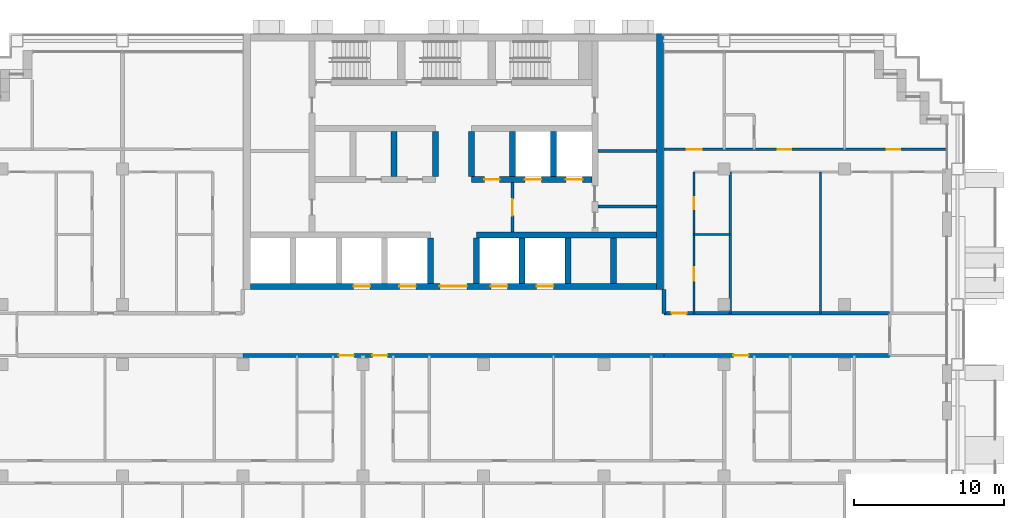
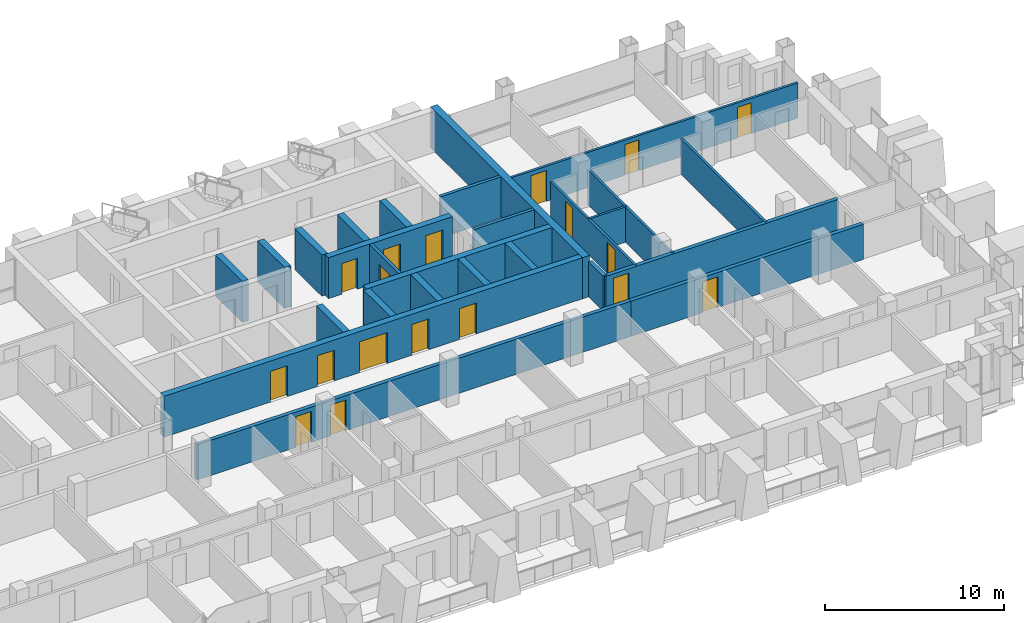
# One storey, part 10 of 17: 26 walls, 18 doors, 18 openings.
"""IFC4 building model written with IfcOpenShell, lengths in metres."""

from ifc_helpers import new_model, si_unit, direction, frame, frame_2d, origin, place, context, subcontext, project, spatial, rectangle, extrude, material, layer, layer_set, type_object, element, fill, save


model = new_model("IFC4")

# Units and contexts
model_context = context("Model", 3, precision=1e-05, world=origin(), true_north=direction((0.0, 1.0)))
body_context = subcontext(model_context, "Body", "Model", "MODEL_VIEW")
ifc_project = project(units=[si_unit("LENGTHUNIT", "METRE"), si_unit("AREAUNIT", "SQUARE_METRE"), si_unit("VOLUMEUNIT", "CUBIC_METRE"), si_unit("PLANEANGLEUNIT", "RADIAN"), si_unit("MASSUNIT", "GRAM", prefix="KILO")], contexts=[model_context])

# Site, building, storey
site_placement = place(None, origin())
site = spatial("IfcSite", under=ifc_project, at=site_placement, CompositionType="ELEMENT")
building_placement = place(site_placement, origin())
building = spatial("IfcBuilding", under=site, at=building_placement, Name="Vidyagriha Tower", CompositionType="ELEMENT")
storey_placement = place(building_placement, frame((0.0, 0.0, 148.60009765625)))
storey = spatial("IfcBuildingStorey", under=building, at=storey_placement, Name="L39", CompositionType="ELEMENT", Elevation=148.60009765625)

# Wall, openings, doors
ifc_material_1 = material(Name="Concrete C60/75", Category="concrete")
ifc_layer_1 = layer(ifc_material_1, 0.39990234375)
ifc_layer_set_1 = layer_set([ifc_layer_1], Name="Concrete C60/75")
wall_type_1 = type_object("IfcWallType", Name="Core shear wall 400 mm", PredefinedType="SHEAR", material=ifc_layer_set_1)
wall_1_placement = place(storey_placement, frame((-13.5, 3.199951171875, 0.0)))
wall_1 = element("IfcWall", 1, at=wall_1_placement, inside=storey, type_object=wall_type_1, Name="Core front wall", PredefinedType="SHEAR", context=body_context, shape_type="SweptSolid", body=[
    extrude(rectangle(XDim=27.0, YDim=0.39990234375, at=frame_2d((13.5, 0.0))), origin(), (0.0, 0.0, 1.0), 2.7998046875),
])
opening_1_placement = place(wall_1_placement, frame((6.861083984375, 0.0, 0.0)))
opening_1 = element("IfcOpeningElement", 2, at=opening_1_placement, cuts=wall_1, Name="Opening LD39-01", PredefinedType="OPENING", context=body_context, shape_type="SweptSolid", body=[
    extrude(rectangle(XDim=1.10009765625, YDim=2.10009765625, at=frame_2d((0.550048828125, 1.050048828125))), frame((0.0, 0.2099609375, 0.0), z_axis=(0.0, -1.0, 0.0), x_axis=(1.0, 0.0, 0.0)), (0.0, 0.0, 1.0), 0.419921875),
])
opening_2_placement = place(wall_1_placement, frame((9.905517578125, 0.0, 0.0)))
opening_2 = element("IfcOpeningElement", 3, at=opening_2_placement, cuts=wall_1, Name="Opening LD39-02", PredefinedType="OPENING", context=body_context, shape_type="SweptSolid", body=[
    extrude(rectangle(XDim=1.10009765625, YDim=2.10009765625, at=frame_2d((0.550048828125, 1.050048828125))), frame((0.0, 0.2099609375, 0.0), z_axis=(0.0, -1.0, 0.0), x_axis=(1.0, 0.0, 0.0)), (0.0, 0.0, 1.0), 0.419921875),
])
opening_3_placement = place(wall_1_placement, frame((15.994384765625, 0.0, 0.0)))
opening_3 = element("IfcOpeningElement", 4, at=opening_3_placement, cuts=wall_1, Name="Opening LD39-03", PredefinedType="OPENING", context=body_context, shape_type="SweptSolid", body=[
    extrude(rectangle(XDim=1.10009765625, YDim=2.10009765625, at=frame_2d((0.550048828125, 1.050048828125))), frame((0.0, 0.2099609375, 0.0), z_axis=(0.0, -1.0, 0.0), x_axis=(1.0, 0.0, 0.0)), (0.0, 0.0, 1.0), 0.419921875),
])
opening_4_placement = place(wall_1_placement, frame((19.038818359375, 0.0, 0.0)))
opening_4 = element("IfcOpeningElement", 5, at=opening_4_placement, cuts=wall_1, Name="Opening LD39-04", PredefinedType="OPENING", context=body_context, shape_type="SweptSolid", body=[
    extrude(rectangle(XDim=1.10009765625, YDim=2.10009765625, at=frame_2d((0.550048828125, 1.050048828125))), frame((0.0, 0.2099609375, 0.0), z_axis=(0.0, -1.0, 0.0), x_axis=(1.0, 0.0, 0.0)), (0.0, 0.0, 1.0), 0.419921875),
])
opening_5_placement = place(wall_1_placement, frame((12.60009765625, 0.0, 0.0)))
opening_5 = element("IfcOpeningElement", 6, at=opening_5_placement, cuts=wall_1, Name="Opening D39-01", PredefinedType="OPENING", context=body_context, shape_type="SweptSolid", body=[
    extrude(rectangle(XDim=1.800048828125, YDim=2.10009765625, at=frame_2d((0.89990234375, 1.050048828125))), frame((0.0, 0.2099609375, 0.0), z_axis=(0.0, -1.0, 0.0), x_axis=(1.0, 0.0, 0.0)), (0.0, 0.0, 1.0), 0.419921875),
])
ifc_material_2 = material(Name="Hollow metal door leaf")
door_type_1 = type_object("IfcDoorType", Name="Core lobby double door 1800 x 2100 mm EI 60", OperationType="NOTDEFINED", PredefinedType="DOOR", material=ifc_material_2)
door_1_placement = place(opening_5_placement, frame((1.800048828125, 0.0, 0.0), z_axis=(0.0, 0.0, 1.0), x_axis=(-1.0, 0.0, 0.0)))
door_1 = element("IfcDoor", 7, at=door_1_placement, inside=storey, type_object=door_type_1, Name="Core entrance door L39", OperationType="DOUBLE_DOOR_SINGLE_SWING", OverallHeight=2.10009765625, OverallWidth=1.800048828125, PredefinedType="DOOR", context=body_context, shape_type="SweptSolid", body=[
    extrude(rectangle(XDim=1.800048828125, YDim=2.10009765625, at=frame_2d((0.89990234375, 1.050048828125))), frame((0.0, 0.02490234375, 0.0), z_axis=(0.0, -1.0, 0.0), x_axis=(1.0, 0.0, 0.0)), (0.0, 0.0, 1.0), 0.050048828125),
])
fill(opening_5, door_1)
ifc_material_3 = material(Name="Stainless steel sliding door panel", Category="steel")
door_type_2 = type_object("IfcDoorType", Name="Lift landing door 1100 x 2100 mm EI 90", OperationType="NOTDEFINED", PredefinedType="DOOR", material=ifc_material_3)
door_2_placement = place(opening_1_placement, origin())
door_2 = element("IfcDoor", 8, at=door_2_placement, inside=storey, type_object=door_type_2, Name="Landing door LR1 L39", OperationType="SLIDING_TO_LEFT", OverallHeight=2.10009765625, OverallWidth=1.10009765625, PredefinedType="DOOR", context=body_context, shape_type="SweptSolid", body=[
    extrude(rectangle(XDim=1.10009765625, YDim=2.10009765625, at=frame_2d((0.550048828125, 1.050048828125))), frame((0.0, 0.02490234375, 0.0), z_axis=(0.0, -1.0, 0.0), x_axis=(1.0, 0.0, 0.0)), (0.0, 0.0, 1.0), 0.050048828125),
])
fill(opening_1, door_2)
door_3_placement = place(opening_2_placement, origin())
door_3 = element("IfcDoor", 9, at=door_3_placement, inside=storey, type_object=door_type_2, Name="Landing door LR2 L39", OperationType="SLIDING_TO_LEFT", OverallHeight=2.10009765625, OverallWidth=1.10009765625, PredefinedType="DOOR", context=body_context, shape_type="SweptSolid", body=[
    extrude(rectangle(XDim=1.10009765625, YDim=2.10009765625, at=frame_2d((0.550048828125, 1.050048828125))), frame((0.0, 0.02490234375, 0.0), z_axis=(0.0, -1.0, 0.0), x_axis=(1.0, 0.0, 0.0)), (0.0, 0.0, 1.0), 0.050048828125),
])
fill(opening_2, door_3)
door_4_placement = place(opening_3_placement, origin())
door_4 = element("IfcDoor", 10, at=door_4_placement, inside=storey, type_object=door_type_2, Name="Landing door LR3 L39", OperationType="SLIDING_TO_LEFT", OverallHeight=2.10009765625, OverallWidth=1.10009765625, PredefinedType="DOOR", context=body_context, shape_type="SweptSolid", body=[
    extrude(rectangle(XDim=1.10009765625, YDim=2.10009765625, at=frame_2d((0.550048828125, 1.050048828125))), frame((0.0, 0.02490234375, 0.0), z_axis=(0.0, -1.0, 0.0), x_axis=(1.0, 0.0, 0.0)), (0.0, 0.0, 1.0), 0.050048828125),
])
fill(opening_3, door_4)
door_5_placement = place(opening_4_placement, origin())
door_5 = element("IfcDoor", 11, at=door_5_placement, inside=storey, type_object=door_type_2, Name="Landing door LR4 L39", OperationType="SLIDING_TO_LEFT", OverallHeight=2.10009765625, OverallWidth=1.10009765625, PredefinedType="DOOR", context=body_context, shape_type="SweptSolid", body=[
    extrude(rectangle(XDim=1.10009765625, YDim=2.10009765625, at=frame_2d((0.550048828125, 1.050048828125))), frame((0.0, 0.02490234375, 0.0), z_axis=(0.0, -1.0, 0.0), x_axis=(1.0, 0.0, 0.0)), (0.0, 0.0, 1.0), 0.050048828125),
])
fill(opening_4, door_5)

# Walls
wall_2_placement = place(storey_placement, frame((1.522216796875, 6.60009765625, 0.0)))
element("IfcWall", 12, at=wall_2_placement, inside=storey, type_object=wall_type_1, Name="Core lobby south wall east", PredefinedType="SHEAR", context=body_context, shape_type="SweptSolid", body=[
    extrude(rectangle(XDim=11.977783203125, YDim=0.39990234375, at=frame_2d((5.98876953125, 0.0))), origin(), (0.0, 0.0, 1.0), 2.7998046875),
])
for number, where, z_axis, x_axis, name in (
    (13, (-1.522216796875, 3.39990234375, 0.0), (0.0, 0.0, 1.0), (0.0, 1.0, 0.0), "Core bay wall S4"),
    (14, (1.522216796875, 3.39990234375, 0.0), (0.0, 0.0, 1.0), (0.0, 1.0, 0.0), "Core bay wall S5"),
    (15, (4.566650390625, 3.39990234375, 0.0), (0.0, 0.0, 1.0), (0.0, 1.0, 0.0), "Core bay wall S6"),
    (16, (7.611083984375, 3.39990234375, 0.0), (0.0, 0.0, 1.0), (0.0, 1.0, 0.0), "Core bay wall S7"),
    (17, (10.655517578125, 3.39990234375, 0.0), (0.0, 0.0, 1.0), (0.0, 1.0, 0.0), "Core bay wall S8"),
):
    element("IfcWall", number, at=place(storey_placement, frame(where, z_axis=z_axis, x_axis=x_axis)), inside=storey, type_object=wall_type_1, Name=name, PredefinedType="SHEAR", context=body_context, shape_type="SweptSolid", body=[
        extrude(rectangle(XDim=3.0, YDim=0.39990234375, at=frame_2d((1.5, 0.0))), origin(), (0.0, 0.0, 1.0), 2.7998046875),
    ])

# Wall, openings, doors
wall_3_placement = place(storey_placement, frame((1.199951171875, 10.300048828125, 0.0)))
wall_3 = element("IfcWall", 18, at=wall_3_placement, inside=storey, type_object=wall_type_1, Name="Core row N front wall", PredefinedType="SHEAR", context=body_context, shape_type="SweptSolid", body=[
    extrude(rectangle(XDim=8.0, YDim=0.39990234375, at=frame_2d((4.0, 0.0))), origin(), (0.0, 0.0, 1.0), 2.7998046875),
])
opening_6_placement = place(wall_3_placement, frame((3.550048828125, 0.0, 0.0)))
opening_6 = element("IfcOpeningElement", 19, at=opening_6_placement, cuts=wall_3, Name="Opening LD39-05", PredefinedType="OPENING", context=body_context, shape_type="SweptSolid", body=[
    extrude(rectangle(XDim=1.10009765625, YDim=2.10009765625, at=frame_2d((0.550048828125, 1.050048828125))), frame((0.0, 0.2099609375, 0.0), z_axis=(0.0, -1.0, 0.0), x_axis=(1.0, 0.0, 0.0)), (0.0, 0.0, 1.0), 0.419921875),
])
opening_7_placement = place(wall_3_placement, frame((6.283203125, 0.0, 0.0)))
opening_7 = element("IfcOpeningElement", 20, at=opening_7_placement, cuts=wall_3, Name="Opening LD39-06", PredefinedType="OPENING", context=body_context, shape_type="SweptSolid", body=[
    extrude(rectangle(XDim=1.10009765625, YDim=2.10009765625, at=frame_2d((0.550048828125, 1.050048828125))), frame((0.0, 0.2099609375, 0.0), z_axis=(0.0, -1.0, 0.0), x_axis=(1.0, 0.0, 0.0)), (0.0, 0.0, 1.0), 0.419921875),
])
opening_8_placement = place(wall_3_placement, frame((0.86669921875, 0.0, 0.0)))
opening_8 = element("IfcOpeningElement", 21, at=opening_8_placement, cuts=wall_3, Name="Opening D39-04", PredefinedType="OPENING", context=body_context, shape_type="SweptSolid", body=[
    extrude(rectangle(XDim=1.0, YDim=2.10009765625, at=frame_2d((0.5, 1.050048828125))), frame((0.0, 0.2099609375, 0.0), z_axis=(0.0, -1.0, 0.0), x_axis=(1.0, 0.0, 0.0)), (0.0, 0.0, 1.0), 0.419921875),
])
ifc_material_4 = material(Name="Hollow metal door leaf")
door_type_3 = type_object("IfcDoorType", Name="Core room door 1000 x 2100 mm EI 60", OperationType="NOTDEFINED", PredefinedType="DOOR", material=ifc_material_4)
door_6_placement = place(opening_8_placement, frame((1.0, 0.0, 0.0), z_axis=(0.0, 0.0, 1.0), x_axis=(-1.0, 0.0, 0.0)))
door_6 = element("IfcDoor", 22, at=door_6_placement, inside=storey, type_object=door_type_3, Name="Door Switchgear Room 39.16", OperationType="SINGLE_SWING_LEFT", OverallHeight=2.10009765625, OverallWidth=1.0, PredefinedType="DOOR", context=body_context, shape_type="SweptSolid", body=[
    extrude(rectangle(XDim=1.0, YDim=2.10009765625, at=frame_2d((0.5, 1.050048828125))), frame((0.0, 0.02490234375, 0.0), z_axis=(0.0, -1.0, 0.0), x_axis=(1.0, 0.0, 0.0)), (0.0, 0.0, 1.0), 0.050048828125),
])
fill(opening_8, door_6)
door_7_placement = place(opening_6_placement, origin())
door_7 = element("IfcDoor", 23, at=door_7_placement, inside=storey, type_object=door_type_2, Name="Landing door FF1 L39", OperationType="SLIDING_TO_LEFT", OverallHeight=2.10009765625, OverallWidth=1.10009765625, PredefinedType="DOOR", context=body_context, shape_type="SweptSolid", body=[
    extrude(rectangle(XDim=1.10009765625, YDim=2.10009765625, at=frame_2d((0.550048828125, 1.050048828125))), frame((0.0, 0.02490234375, 0.0), z_axis=(0.0, -1.0, 0.0), x_axis=(1.0, 0.0, 0.0)), (0.0, 0.0, 1.0), 0.050048828125),
])
fill(opening_6, door_7)
door_8_placement = place(opening_7_placement, origin())
door_8 = element("IfcDoor", 24, at=door_8_placement, inside=storey, type_object=door_type_2, Name="Landing door FF2 L39", OperationType="SLIDING_TO_LEFT", OverallHeight=2.10009765625, OverallWidth=1.10009765625, PredefinedType="DOOR", context=body_context, shape_type="SweptSolid", body=[
    extrude(rectangle(XDim=1.10009765625, YDim=2.10009765625, at=frame_2d((0.550048828125, 1.050048828125))), frame((0.0, 0.02490234375, 0.0), z_axis=(0.0, -1.0, 0.0), x_axis=(1.0, 0.0, 0.0)), (0.0, 0.0, 1.0), 0.050048828125),
])
fill(opening_7, door_8)

# Walls
for number, where, z_axis, x_axis, name in (
    (25, (-3.933349609375, 10.5, 0.0), (0.0, 0.0, 1.0), (0.0, 1.0, 0.0), "Core bay wall N2"),
    (26, (-1.199951171875, 10.5, 0.0), (0.0, 0.0, 1.0), (0.0, 1.0, 0.0), "Core bay wall N3"),
    (27, (1.199951171875, 10.5, 0.0), (0.0, 0.0, 1.0), (0.0, 1.0, 0.0), "Core bay wall N4"),
    (28, (3.933349609375, 10.5, 0.0), (0.0, 0.0, 1.0), (0.0, 1.0, 0.0), "Core bay wall N5"),
    (29, (6.666748046875, 10.5, 0.0), (0.0, 0.0, 1.0), (0.0, 1.0, 0.0), "Core bay wall N6"),
):
    element("IfcWall", number, at=place(storey_placement, frame(where, z_axis=z_axis, x_axis=x_axis)), inside=storey, type_object=wall_type_1, Name=name, PredefinedType="SHEAR", context=body_context, shape_type="SweptSolid", body=[
        extrude(rectangle(XDim=3.0, YDim=0.39990234375, at=frame_2d((1.5, 0.0))), origin(), (0.0, 0.0, 1.0), 2.7998046875),
    ])
ifc_material_5 = material(Name="Concrete C60/75", Category="concrete")
ifc_layer_2 = layer(ifc_material_5, 0.449951171875)
ifc_layer_set_2 = layer_set([ifc_layer_2], Name="Concrete C60/75")
wall_type_2 = type_object("IfcWallType", Name="Core shear wall 450 mm", PredefinedType="SHEAR", material=ifc_layer_set_2)
wall_4_placement = place(storey_placement, frame((13.72509765625, 3.0, 0.0), z_axis=(0.0, 0.0, 1.0), x_axis=(0.0, 1.0, 0.0)))
element("IfcWall", 30, at=wall_4_placement, inside=storey, type_object=wall_type_2, Name="Core east wall", PredefinedType="SHEAR", context=body_context, shape_type="SweptSolid", body=[
    extrude(rectangle(XDim=17.0, YDim=0.449951171875, at=frame_2d((8.5, 0.0))), origin(), (0.0, 0.0, 1.0), 2.7998046875),
])

# Wall, opening, door
ifc_material_6 = material(Name="Fired clay brick masonry", Category="masonry")
ifc_layer_3 = layer(ifc_material_6, 0.25)
ifc_layer_set_3 = layer_set([ifc_layer_3], Name="Fired clay brick masonry")
wall_type_3 = type_object("IfcWallType", Name="Fired clay brick corridor wall 250", PredefinedType="PARTITIONING", material=ifc_layer_set_3)
wall_5_placement = place(storey_placement, frame((29.0, -1.39990234375, 0.0), z_axis=(0.0, 0.0, 1.0), x_axis=(-1.0, 0.0, 0.0)))
wall_5 = element("IfcWall", 31, at=wall_5_placement, inside=storey, type_object=wall_type_3, Name="Wall all-L39-w063", PredefinedType="PARTITIONING", context=body_context, shape_type="SweptSolid", body=[
    extrude(rectangle(XDim=15.0, YDim=0.25, at=frame_2d((7.5, 0.0))), origin(), (0.0, 0.0, 1.0), 2.39990234375),
])
opening_9_placement = place(wall_5_placement, frame((9.382080078125, 0.0, 0.0)))
opening_9 = element("IfcOpeningElement", 32, at=opening_9_placement, cuts=wall_5, Name="Opening D39-42", PredefinedType="OPENING", context=body_context, shape_type="SweptSolid", body=[
    extrude(rectangle(XDim=1.0, YDim=2.10009765625, at=frame_2d((0.5, 1.050048828125))), frame((0.0, 0.135009765625, 0.0), z_axis=(0.0, -1.0, 0.0), x_axis=(1.0, 0.0, 0.0)), (0.0, 0.0, 1.0), 0.27001953125),
])
ifc_material_7 = material(Name="Fire-rated timber door leaf EI 60", Category="wood")
door_type_4 = type_object("IfcDoorType", Name="Flat entrance fire door 1000x2100", OperationType="NOTDEFINED", PredefinedType="DOOR", material=ifc_material_7)
door_9_placement = place(opening_9_placement, origin())
door_9 = element("IfcDoor", 33, at=door_9_placement, inside=storey, type_object=door_type_4, Name="Door D39-42", OperationType="SINGLE_SWING_RIGHT", OverallHeight=2.10009765625, OverallWidth=1.0, PredefinedType="DOOR", context=body_context, shape_type="SweptSolid", body=[
    extrude(rectangle(XDim=1.0, YDim=2.10009765625, at=frame_2d((0.5, 1.050048828125))), frame((0.0, 0.02490234375, 0.0), z_axis=(0.0, -1.0, 0.0), x_axis=(1.0, 0.0, 0.0)), (0.0, 0.0, 1.0), 0.050048828125),
])
fill(opening_9, door_9)

wall_6_placement = place(storey_placement, frame((14.0, 1.39990234375, 0.0)))
wall_6 = element("IfcWall", 34, at=wall_6_placement, inside=storey, type_object=wall_type_3, Name="Wall all-L39-w111", PredefinedType="PARTITIONING", context=body_context, shape_type="SweptSolid", body=[
    extrude(rectangle(XDim=15.0, YDim=0.25, at=frame_2d((7.5, 0.0))), origin(), (0.0, 0.0, 1.0), 2.39990234375),
])
opening_10_placement = place(wall_6_placement, frame((0.5, 0.0, 0.0)))
opening_10 = element("IfcOpeningElement", 35, at=opening_10_placement, cuts=wall_6, Name="Opening D39-63", PredefinedType="OPENING", context=body_context, shape_type="SweptSolid", body=[
    extrude(rectangle(XDim=1.0, YDim=2.10009765625, at=frame_2d((0.5, 1.050048828125))), frame((0.0, 0.135009765625, 0.0), z_axis=(0.0, -1.0, 0.0), x_axis=(1.0, 0.0, 0.0)), (0.0, 0.0, 1.0), 0.27001953125),
])
door_10_placement = place(opening_10_placement, origin())
door_10 = element("IfcDoor", 36, at=door_10_placement, inside=storey, type_object=door_type_4, Name="Door D39-63", OperationType="SINGLE_SWING_LEFT", OverallHeight=2.10009765625, OverallWidth=1.0, PredefinedType="DOOR", context=body_context, shape_type="SweptSolid", body=[
    extrude(rectangle(XDim=1.0, YDim=2.10009765625, at=frame_2d((0.5, 1.050048828125))), frame((0.0, 0.02490234375, 0.0), z_axis=(0.0, -1.0, 0.0), x_axis=(1.0, 0.0, 0.0)), (0.0, 0.0, 1.0), 0.050048828125),
])
fill(opening_10, door_10)

# Wall, openings, doors
wall_7_placement = place(storey_placement, frame((14.0, -1.39990234375, 0.0), z_axis=(0.0, 0.0, 1.0), x_axis=(-1.0, 0.0, 0.0)))
wall_7 = element("IfcWall", 37, at=wall_7_placement, inside=storey, type_object=wall_type_3, Name="Wall all-L39-w117", PredefinedType="PARTITIONING", context=body_context, shape_type="SweptSolid", body=[
    extrude(rectangle(XDim=28.0, YDim=0.25, at=frame_2d((14.0, 0.0))), origin(), (0.0, 0.0, 1.0), 2.39990234375),
])
opening_11_placement = place(wall_7_placement, frame((20.617919921875, 0.0, 0.0)))
opening_11 = element("IfcOpeningElement", 38, at=opening_11_placement, cuts=wall_7, Name="Opening D39-24", PredefinedType="OPENING", context=body_context, shape_type="SweptSolid", body=[
    extrude(rectangle(XDim=1.0, YDim=2.10009765625, at=frame_2d((0.5, 1.050048828125))), frame((0.0, 0.135009765625, 0.0), z_axis=(0.0, -1.0, 0.0), x_axis=(1.0, 0.0, 0.0)), (0.0, 0.0, 1.0), 0.27001953125),
])
opening_12_placement = place(wall_7_placement, frame((18.382080078125, 0.0, 0.0)))
opening_12 = element("IfcOpeningElement", 39, at=opening_12_placement, cuts=wall_7, Name="Opening D39-35", PredefinedType="OPENING", context=body_context, shape_type="SweptSolid", body=[
    extrude(rectangle(XDim=1.0, YDim=2.10009765625, at=frame_2d((0.5, 1.050048828125))), frame((0.0, 0.135009765625, 0.0), z_axis=(0.0, -1.0, 0.0), x_axis=(1.0, 0.0, 0.0)), (0.0, 0.0, 1.0), 0.27001953125),
])
door_11_placement = place(opening_11_placement, origin())
door_11 = element("IfcDoor", 40, at=door_11_placement, inside=storey, type_object=door_type_4, Name="Door D39-24", OperationType="SINGLE_SWING_LEFT", OverallHeight=2.10009765625, OverallWidth=1.0, PredefinedType="DOOR", context=body_context, shape_type="SweptSolid", body=[
    extrude(rectangle(XDim=1.0, YDim=2.10009765625, at=frame_2d((0.5, 1.050048828125))), frame((0.0, 0.02490234375, 0.0), z_axis=(0.0, -1.0, 0.0), x_axis=(1.0, 0.0, 0.0)), (0.0, 0.0, 1.0), 0.050048828125),
])
fill(opening_11, door_11)
door_12_placement = place(opening_12_placement, origin())
door_12 = element("IfcDoor", 41, at=door_12_placement, inside=storey, type_object=door_type_4, Name="Door D39-35", OperationType="SINGLE_SWING_RIGHT", OverallHeight=2.10009765625, OverallWidth=1.0, PredefinedType="DOOR", context=body_context, shape_type="SweptSolid", body=[
    extrude(rectangle(XDim=1.0, YDim=2.10009765625, at=frame_2d((0.5, 1.050048828125))), frame((0.0, 0.02490234375, 0.0), z_axis=(0.0, -1.0, 0.0), x_axis=(1.0, 0.0, 0.0)), (0.0, 0.0, 1.0), 0.050048828125),
])
fill(opening_12, door_12)

# Walls
wall_8_placement = place(storey_placement, frame((14.0, 1.39990234375, 0.0), z_axis=(0.0, 0.0, 1.0), x_axis=(0.0, 1.0, 0.0)))
element("IfcWall", 42, at=wall_8_placement, inside=storey, type_object=wall_type_3, Name="Wall all-L39-w119", PredefinedType="PARTITIONING", context=body_context, shape_type="SweptSolid", body=[
    extrude(rectangle(XDim=1.60009765625, YDim=0.25, at=frame_2d((0.800048828125, 0.0))), origin(), (0.0, 0.0, 1.0), 2.39990234375),
])
ifc_material_8 = material(Name="Gypsum board partition")
ifc_layer_4 = layer(ifc_material_8, 0.14990234375)
ifc_layer_set_4 = layer_set([ifc_layer_4], Name="Gypsum board partition")
wall_type_4 = type_object("IfcWallType", Name="Gypsum board partition 150", PredefinedType="PARTITIONING", material=ifc_layer_set_4)
wall_9_placement = place(storey_placement, frame((16.0, 6.64990234375, 0.0)))
element("IfcWall", 43, at=wall_9_placement, inside=storey, type_object=wall_type_4, Name="Wall all-L39-w093", PredefinedType="PARTITIONING", context=body_context, shape_type="SweptSolid", body=[
    extrude(rectangle(XDim=2.39990234375, YDim=0.14990234375, at=frame_2d((1.199951171875, 0.0))), origin(), (0.0, 0.0, 1.0), 2.39990234375),
])
for number, where, z_axis, x_axis, name in (
    (44, (18.39990234375, 10.800048828125, 0.0), (0.0, 0.0, 1.0), (0.0, -1.0, 0.0), "Wall all-L39-w094"),
    (45, (24.39990234375, 10.800048828125, 0.0), (0.0, 0.0, 1.0), (0.0, -1.0, 0.0), "Wall all-L39-w095"),
):
    element("IfcWall", number, at=place(storey_placement, frame(where, z_axis=z_axis, x_axis=x_axis)), inside=storey, type_object=wall_type_4, Name=name, PredefinedType="PARTITIONING", context=body_context, shape_type="SweptSolid", body=[
        extrude(rectangle(XDim=9.400146484375, YDim=0.14990234375, at=frame_2d((4.7001953125, 0.0))), origin(), (0.0, 0.0, 1.0), 2.39990234375),
    ])

# Wall, openings, doors
wall_10_placement = place(storey_placement, frame((14.0, 12.300048828125, 0.0)))
wall_10 = element("IfcWall", 46, at=wall_10_placement, inside=storey, type_object=wall_type_4, Name="Wall all-L39-w101", PredefinedType="PARTITIONING", context=body_context, shape_type="SweptSolid", body=[
    extrude(rectangle(XDim=18.719970703125, YDim=0.14990234375, at=frame_2d((9.35986328125, 0.0))), origin(), (0.0, 0.0, 1.0), 2.39990234375),
])
opening_13_placement = place(wall_10_placement, frame((1.5, 0.0, 0.0)))
opening_13 = element("IfcOpeningElement", 47, at=opening_13_placement, cuts=wall_10, Name="Opening D39-59", PredefinedType="OPENING", context=body_context, shape_type="SweptSolid", body=[
    extrude(rectangle(XDim=1.0, YDim=2.10009765625, at=frame_2d((0.5, 1.050048828125))), frame((0.0, 0.0849609375, 0.0), z_axis=(0.0, -1.0, 0.0), x_axis=(1.0, 0.0, 0.0)), (0.0, 0.0, 1.0), 0.169921875),
])
opening_14_placement = place(wall_10_placement, frame((7.550048828125, 0.0, 0.0)))
opening_14 = element("IfcOpeningElement", 48, at=opening_14_placement, cuts=wall_10, Name="Opening D39-60", PredefinedType="OPENING", context=body_context, shape_type="SweptSolid", body=[
    extrude(rectangle(XDim=0.89990234375, YDim=2.10009765625, at=frame_2d((0.449951171875, 1.050048828125))), frame((0.0, 0.0849609375, 0.0), z_axis=(0.0, -1.0, 0.0), x_axis=(1.0, 0.0, 0.0)), (0.0, 0.0, 1.0), 0.169921875),
])
opening_15_placement = place(wall_10_placement, frame((14.800048828125, 0.0, 0.0)))
opening_15 = element("IfcOpeningElement", 49, at=opening_15_placement, cuts=wall_10, Name="Opening D39-61", PredefinedType="OPENING", context=body_context, shape_type="SweptSolid", body=[
    extrude(rectangle(XDim=0.89990234375, YDim=2.10009765625, at=frame_2d((0.449951171875, 1.050048828125))), frame((0.0, 0.0849609375, 0.0), z_axis=(0.0, -1.0, 0.0), x_axis=(1.0, 0.0, 0.0)), (0.0, 0.0, 1.0), 0.169921875),
])
ifc_material_9 = material(Name="Timber door leaf", Category="wood")
door_type_5 = type_object("IfcDoorType", Name="Room door 1000x2100", OperationType="NOTDEFINED", PredefinedType="DOOR", material=ifc_material_9)
door_13_placement = place(opening_13_placement, origin())
door_13 = element("IfcDoor", 50, at=door_13_placement, inside=storey, type_object=door_type_5, Name="Door D39-59", OperationType="SINGLE_SWING_RIGHT", OverallHeight=2.10009765625, OverallWidth=1.0, PredefinedType="DOOR", context=body_context, shape_type="SweptSolid", body=[
    extrude(rectangle(XDim=1.0, YDim=2.10009765625, at=frame_2d((0.5, 1.050048828125))), frame((0.0, 0.02490234375, 0.0), z_axis=(0.0, -1.0, 0.0), x_axis=(1.0, 0.0, 0.0)), (0.0, 0.0, 1.0), 0.050048828125),
])
fill(opening_13, door_13)
ifc_material_10 = material(Name="Timber door leaf", Category="wood")
door_type_6 = type_object("IfcDoorType", Name="Room door 900x2100", OperationType="NOTDEFINED", PredefinedType="DOOR", material=ifc_material_10)
door_14_placement = place(opening_14_placement, origin())
door_14 = element("IfcDoor", 51, at=door_14_placement, inside=storey, type_object=door_type_6, Name="Door D39-60", OperationType="SINGLE_SWING_RIGHT", OverallHeight=2.10009765625, OverallWidth=0.89990234375, PredefinedType="DOOR", context=body_context, shape_type="SweptSolid", body=[
    extrude(rectangle(XDim=0.89990234375, YDim=2.10009765625, at=frame_2d((0.449951171875, 1.050048828125))), frame((0.0, 0.02490234375, 0.0), z_axis=(0.0, -1.0, 0.0), x_axis=(1.0, 0.0, 0.0)), (0.0, 0.0, 1.0), 0.050048828125),
])
fill(opening_14, door_14)
door_15_placement = place(opening_15_placement, origin())
door_15 = element("IfcDoor", 52, at=door_15_placement, inside=storey, type_object=door_type_6, Name="Door D39-61", OperationType="SINGLE_SWING_RIGHT", OverallHeight=2.10009765625, OverallWidth=0.89990234375, PredefinedType="DOOR", context=body_context, shape_type="SweptSolid", body=[
    extrude(rectangle(XDim=0.89990234375, YDim=2.10009765625, at=frame_2d((0.449951171875, 1.050048828125))), frame((0.0, 0.02490234375, 0.0), z_axis=(0.0, -1.0, 0.0), x_axis=(1.0, 0.0, 0.0)), (0.0, 0.0, 1.0), 0.050048828125),
])
fill(opening_15, door_15)

ifc_material_11 = material(Name="Moisture resistant gypsum board partition")
ifc_layer_5 = layer(ifc_material_11, 0.14990234375)
ifc_layer_set_5 = layer_set([ifc_layer_5], Name="Moisture resistant gypsum board partition")
wall_type_5 = type_object("IfcWallType", Name="Gypsum board wet-area partition 150", PredefinedType="PARTITIONING", material=ifc_layer_set_5)
wall_11_placement = place(storey_placement, frame((16.0, 10.800048828125, 0.0), z_axis=(0.0, 0.0, 1.0), x_axis=(0.0, -1.0, 0.0)))
wall_11 = element("IfcWall", 53, at=wall_11_placement, inside=storey, type_object=wall_type_5, Name="Wall all-L39-w090", PredefinedType="PARTITIONING", context=body_context, shape_type="SweptSolid", body=[
    extrude(rectangle(XDim=9.400146484375, YDim=0.14990234375, at=frame_2d((4.7001953125, 0.0))), origin(), (0.0, 0.0, 1.0), 2.39990234375),
])
opening_16_placement = place(wall_11_placement, frame((6.324951171875, 0.0, 0.0)))
opening_16 = element("IfcOpeningElement", 54, at=opening_16_placement, cuts=wall_11, Name="Opening D39-54", PredefinedType="OPENING", context=body_context, shape_type="SweptSolid", body=[
    extrude(rectangle(XDim=0.89990234375, YDim=2.10009765625, at=frame_2d((0.449951171875, 1.050048828125))), frame((0.0, 0.0849609375, 0.0), z_axis=(0.0, -1.0, 0.0), x_axis=(1.0, 0.0, 0.0)), (0.0, 0.0, 1.0), 0.169921875),
])
opening_17_placement = place(wall_11_placement, frame((1.675048828125, 0.0, 0.0)))
opening_17 = element("IfcOpeningElement", 55, at=opening_17_placement, cuts=wall_11, Name="Opening D39-55", PredefinedType="OPENING", context=body_context, shape_type="SweptSolid", body=[
    extrude(rectangle(XDim=0.800048828125, YDim=2.10009765625, at=frame_2d((0.39990234375, 1.050048828125))), frame((0.0, 0.0849609375, 0.0), z_axis=(0.0, -1.0, 0.0), x_axis=(1.0, 0.0, 0.0)), (0.0, 0.0, 1.0), 0.169921875),
])
ifc_material_12 = material(Name="Timber door leaf", Category="wood")
door_type_7 = type_object("IfcDoorType", Name="Bathroom door 800x2100", OperationType="NOTDEFINED", PredefinedType="DOOR", material=ifc_material_12)
door_16_placement = place(opening_17_placement, origin())
door_16 = element("IfcDoor", 56, at=door_16_placement, inside=storey, type_object=door_type_7, Name="Door D39-55", OperationType="SINGLE_SWING_RIGHT", OverallHeight=2.10009765625, OverallWidth=0.800048828125, PredefinedType="DOOR", context=body_context, shape_type="SweptSolid", body=[
    extrude(rectangle(XDim=0.800048828125, YDim=2.10009765625, at=frame_2d((0.39990234375, 1.050048828125))), frame((0.0, 0.02490234375, 0.0), z_axis=(0.0, -1.0, 0.0), x_axis=(1.0, 0.0, 0.0)), (0.0, 0.0, 1.0), 0.050048828125),
])
fill(opening_17, door_16)
ifc_material_13 = material(Name="Timber door leaf", Category="wood")
door_type_8 = type_object("IfcDoorType", Name="Kitchen door 900x2100", OperationType="NOTDEFINED", PredefinedType="DOOR", material=ifc_material_13)
door_17_placement = place(opening_16_placement, origin())
door_17 = element("IfcDoor", 57, at=door_17_placement, inside=storey, type_object=door_type_8, Name="Door D39-54", OperationType="SINGLE_SWING_LEFT", OverallHeight=2.10009765625, OverallWidth=0.89990234375, PredefinedType="DOOR", context=body_context, shape_type="SweptSolid", body=[
    extrude(rectangle(XDim=0.89990234375, YDim=2.10009765625, at=frame_2d((0.449951171875, 1.050048828125))), frame((0.0, 0.02490234375, 0.0), z_axis=(0.0, -1.0, 0.0), x_axis=(1.0, 0.0, 0.0)), (0.0, 0.0, 1.0), 0.050048828125),
])
fill(opening_16, door_17)

# Wall, opening, door
ifc_material_14 = material(Name="Blockwork 15 MPa", Category="masonry")
ifc_layer_6 = layer(ifc_material_14, 0.199951171875)
ifc_layer_set_6 = layer_set([ifc_layer_6], Name="Blockwork 15 MPa")
wall_type_6 = type_object("IfcWallType", Name="Service room partition 200 mm", PredefinedType="PARTITIONING", material=ifc_layer_set_6)
wall_12_placement = place(storey_placement, frame((3.933349609375, 6.800048828125, 0.0), z_axis=(0.0, 0.0, 1.0), x_axis=(0.0, 1.0, 0.0)))
wall_12 = element("IfcWall", 58, at=wall_12_placement, inside=storey, type_object=wall_type_6, Name="Fire-fighting lobby west wall", PredefinedType="PARTITIONING", context=body_context, shape_type="SweptSolid", body=[
    extrude(rectangle(XDim=3.300048828125, YDim=0.199951171875, at=frame_2d((1.64990234375, 0.0))), origin(), (0.0, 0.0, 1.0), 2.7998046875),
])
opening_18_placement = place(wall_12_placement, frame((1.10009765625, 0.0, 0.0)))
opening_18 = element("IfcOpeningElement", 59, at=opening_18_placement, cuts=wall_12, Name="Opening D39-05", PredefinedType="OPENING", context=body_context, shape_type="SweptSolid", body=[
    extrude(rectangle(XDim=1.10009765625, YDim=2.10009765625, at=frame_2d((0.550048828125, 1.050048828125))), frame((0.0, 0.10986328125, 0.0), z_axis=(0.0, -1.0, 0.0), x_axis=(1.0, 0.0, 0.0)), (0.0, 0.0, 1.0), 0.219970703125),
])
ifc_material_15 = material(Name="Hollow metal door leaf")
door_type_9 = type_object("IfcDoorType", Name="Fire-fighting lobby door 1100 x 2100 mm EI 90", OperationType="NOTDEFINED", PredefinedType="DOOR", material=ifc_material_15)
door_18_placement = place(opening_18_placement, origin())
door_18 = element("IfcDoor", 60, at=door_18_placement, inside=storey, type_object=door_type_9, Name="Fire-fighting lobby door L39", OperationType="SINGLE_SWING_RIGHT", OverallHeight=2.10009765625, OverallWidth=1.10009765625, PredefinedType="DOOR", context=body_context, shape_type="SweptSolid", body=[
    extrude(rectangle(XDim=1.10009765625, YDim=2.10009765625, at=frame_2d((0.550048828125, 1.050048828125))), frame((0.0, 0.02490234375, 0.0), z_axis=(0.0, -1.0, 0.0), x_axis=(1.0, 0.0, 0.0)), (0.0, 0.0, 1.0), 0.050048828125),
])
fill(opening_18, door_18)

# Walls
for number, where, name in (
    (61, (9.60009765625, 8.5, 0.0), "Core room partition E1"),
    (62, (9.60009765625, 12.199951171875, 0.0), "Core room partition E2"),
):
    element("IfcWall", number, at=place(storey_placement, frame(where)), inside=storey, type_object=wall_type_6, Name=name, PredefinedType="PARTITIONING", context=body_context, shape_type="SweptSolid", body=[
        extrude(rectangle(XDim=3.89990234375, YDim=0.199951171875, at=frame_2d((1.949951171875, 0.0))), origin(), (0.0, 0.0, 1.0), 2.7998046875),
    ])

save(model, "model.ifc")
